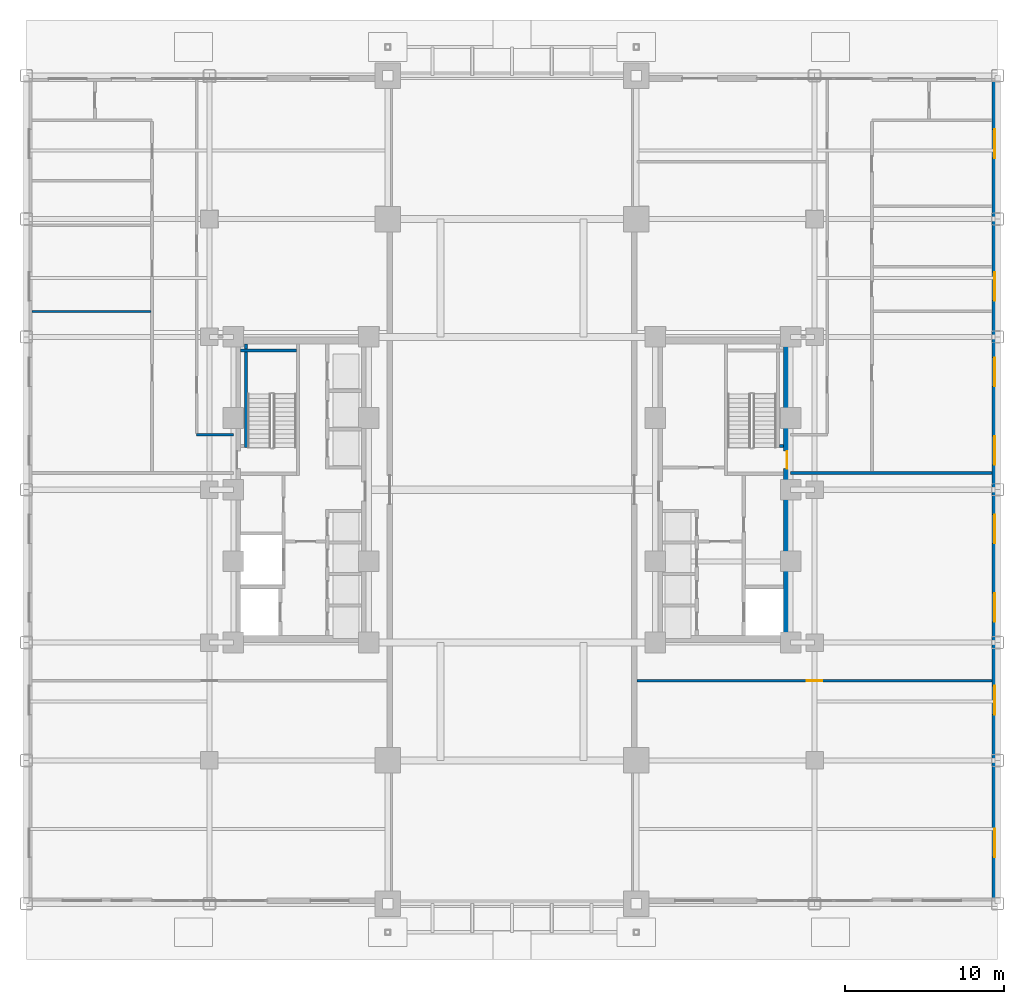
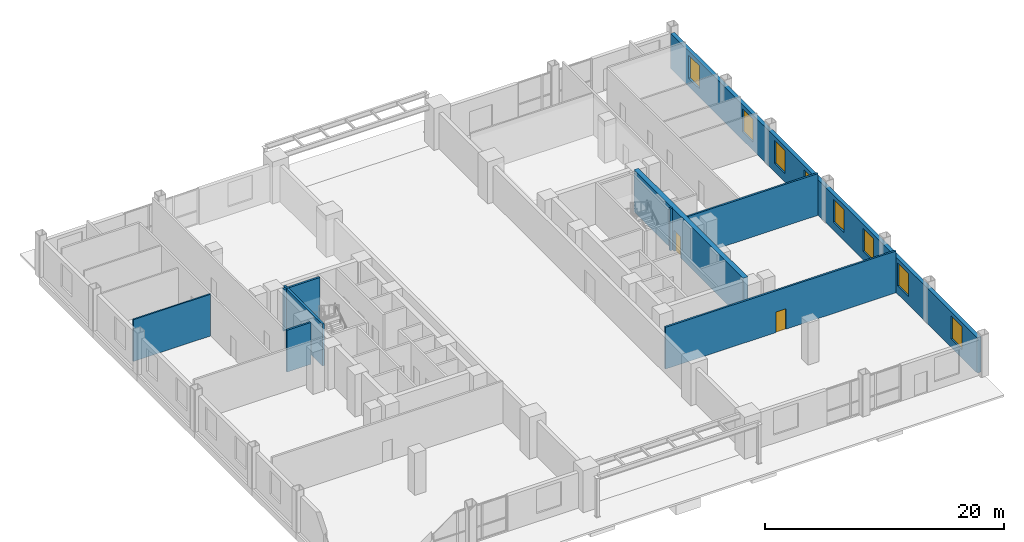
# One storey, part 10 of 20: 9 walls, 8 windows, 2 doors, 10 openings.
"""IFC4 building model written with IfcOpenShell, lengths in metres."""

from ifc_helpers import new_model, si_unit, direction, frame, frame_2d, origin, place, context, subcontext, project, spatial, rectangle, extrude, source, transform, mapped, material, layer, layer_set, type_object, type_shapes, element, fill, save


model = new_model("IFC4")

# Units and contexts
model_context = context("Model", 3, precision=1e-05, world=origin(), true_north=direction((0.0, 1.0)))
body_context = subcontext(model_context, "Body", "Model", "MODEL_VIEW")
ifc_project = project(units=[si_unit("LENGTHUNIT", "METRE"), si_unit("AREAUNIT", "SQUARE_METRE"), si_unit("VOLUMEUNIT", "CUBIC_METRE"), si_unit("PLANEANGLEUNIT", "RADIAN"), si_unit("MASSUNIT", "GRAM", prefix="KILO")], contexts=[model_context])

# Site, building, storey
site_placement = place(None, origin())
site = spatial("IfcSite", under=ifc_project, at=site_placement, CompositionType="ELEMENT")
building_placement = place(site_placement, origin())
building = spatial("IfcBuilding", under=site, at=building_placement, Name="Nuvemarco Arch Tower", CompositionType="ELEMENT")
storey_placement = place(building_placement, origin())
storey = spatial("IfcBuildingStorey", under=building, at=storey_placement, Name="L00", CompositionType="ELEMENT", Elevation=0.0)

# Wall, openings, windows
ifc_material_1 = material(Name="Precast concrete C45/55", Category="concrete")
ifc_layer_1 = layer(ifc_material_1, 0.360107421875, Name="EW-POD-360")
ifc_layer_set_1 = layer_set([ifc_layer_1], Name="Precast concrete C45/55")
wall_type_1 = type_object("IfcWallType", Name="EW-POD-360", PredefinedType="STANDARD", material=ifc_layer_set_1)
wall_1_placement = place(storey_placement, frame((30.320068359375, -25.64404296875, 0.0), z_axis=(0.0, 0.0, 1.0), x_axis=(0.0, 1.0, 0.0)))
wall_1 = element("IfcWall", 1, at=wall_1_placement, inside=storey, type_object=wall_type_1, Name="L00 exterior precast facade wall 2", PredefinedType="STANDARD", context=body_context, shape_type="SweptSolid", body=[
    extrude(rectangle(XDim=51.2880859375, YDim=0.360107421875, at=frame_2d((25.64404296875, 0.0))), origin(), (0.0, 0.0, 1.0), 3.614990234375),
])
opening_1_placement = place(wall_1_placement, frame((2.564453125, 0.0, 0.85009765625)))
opening_1 = element("IfcOpeningElement", 2, at=opening_1_placement, cuts=wall_1, Name="Opening WN-2", PredefinedType="OPENING", context=body_context, shape_type="SweptSolid", body=[
    extrude(rectangle(XDim=1.800048828125, YDim=2.35009765625, at=frame_2d((0.89990234375, 1.175048828125))), frame((0.0, 0.18994140625, 0.0), z_axis=(0.0, -1.0, 0.0), x_axis=(1.0, 0.0, 0.0)), (0.0, 0.0, 1.0), 0.380126953125),
])
opening_2_placement = place(wall_1_placement, frame((11.52197265625, 0.0, 0.85009765625)))
opening_2 = element("IfcOpeningElement", 3, at=opening_2_placement, cuts=wall_1, Name="Opening WN-2", PredefinedType="OPENING", context=body_context, shape_type="SweptSolid", body=[
    extrude(rectangle(XDim=1.800048828125, YDim=2.35009765625, at=frame_2d((0.89990234375, 1.175048828125))), frame((0.0, 0.18994140625, 0.0), z_axis=(0.0, -1.0, 0.0), x_axis=(1.0, 0.0, 0.0)), (0.0, 0.0, 1.0), 0.380126953125),
])
opening_3_placement = place(wall_1_placement, frame((17.350830078125, 0.0, 0.85009765625)))
opening_3 = element("IfcOpeningElement", 4, at=opening_3_placement, cuts=wall_1, Name="Opening WN-2", PredefinedType="OPENING", context=body_context, shape_type="SweptSolid", body=[
    extrude(rectangle(XDim=1.800048828125, YDim=2.35009765625, at=frame_2d((0.89990234375, 1.175048828125))), frame((0.0, 0.18994140625, 0.0), z_axis=(0.0, -1.0, 0.0), x_axis=(1.0, 0.0, 0.0)), (0.0, 0.0, 1.0), 0.380126953125),
])
opening_4_placement = place(wall_1_placement, frame((22.279541015625, 0.0, 0.85009765625)))
opening_4 = element("IfcOpeningElement", 5, at=opening_4_placement, cuts=wall_1, Name="Opening WN-2", PredefinedType="OPENING", context=body_context, shape_type="SweptSolid", body=[
    extrude(rectangle(XDim=1.800048828125, YDim=2.35009765625, at=frame_2d((0.89990234375, 1.175048828125))), frame((0.0, 0.18994140625, 0.0), z_axis=(0.0, -1.0, 0.0), x_axis=(1.0, 0.0, 0.0)), (0.0, 0.0, 1.0), 0.380126953125),
])
opening_5_placement = place(wall_1_placement, frame((27.20849609375, 0.0, 0.85009765625)))
opening_5 = element("IfcOpeningElement", 6, at=opening_5_placement, cuts=wall_1, Name="Opening WN-2", PredefinedType="OPENING", context=body_context, shape_type="SweptSolid", body=[
    extrude(rectangle(XDim=1.800048828125, YDim=2.35009765625, at=frame_2d((0.89990234375, 1.175048828125))), frame((0.0, 0.18994140625, 0.0), z_axis=(0.0, -1.0, 0.0), x_axis=(1.0, 0.0, 0.0)), (0.0, 0.0, 1.0), 0.380126953125),
])
opening_6_placement = place(wall_1_placement, frame((32.13720703125, 0.0, 0.85009765625)))
opening_6 = element("IfcOpeningElement", 7, at=opening_6_placement, cuts=wall_1, Name="Opening WN-2", PredefinedType="OPENING", context=body_context, shape_type="SweptSolid", body=[
    extrude(rectangle(XDim=1.800048828125, YDim=2.35009765625, at=frame_2d((0.89990234375, 1.175048828125))), frame((0.0, 0.18994140625, 0.0), z_axis=(0.0, -1.0, 0.0), x_axis=(1.0, 0.0, 0.0)), (0.0, 0.0, 1.0), 0.380126953125),
])
opening_7_placement = place(wall_1_placement, frame((37.51611328125, 0.0, 0.85009765625)))
opening_7 = element("IfcOpeningElement", 8, at=opening_7_placement, cuts=wall_1, Name="Opening WN-2", PredefinedType="OPENING", context=body_context, shape_type="SweptSolid", body=[
    extrude(rectangle(XDim=1.800048828125, YDim=2.35009765625, at=frame_2d((0.89990234375, 1.175048828125))), frame((0.0, 0.18994140625, 0.0), z_axis=(0.0, -1.0, 0.0), x_axis=(1.0, 0.0, 0.0)), (0.0, 0.0, 1.0), 0.380126953125),
])
opening_8_placement = place(wall_1_placement, frame((46.4736328125, 0.0, 0.85009765625)))
opening_8 = element("IfcOpeningElement", 9, at=opening_8_placement, cuts=wall_1, Name="Opening WN-2", PredefinedType="OPENING", context=body_context, shape_type="SweptSolid", body=[
    extrude(rectangle(XDim=1.800048828125, YDim=2.35009765625, at=frame_2d((0.89990234375, 1.175048828125))), frame((0.0, 0.18994140625, 0.0), z_axis=(0.0, -1.0, 0.0), x_axis=(1.0, 0.0, 0.0)), (0.0, 0.0, 1.0), 0.380126953125),
])
ifc_material_2 = material(Name="Insulated solar-control glass", Category="glass")
window_type = type_object("IfcWindowType", Name="WN-POD-1800x2350", PartitioningType="DOUBLE_PANEL_VERTICAL", PredefinedType="WINDOW", material=ifc_material_2)
shared_shape_1 = source(origin(), body_context, "Body", "SweptSolid", [
    extrude(rectangle(XDim=1.800048828125, YDim=2.35009765625, at=frame_2d((0.89990234375, 1.175048828125))), frame((0.0, 0.030029296875, 0.0), z_axis=(0.0, -1.0, 0.0), x_axis=(1.0, 0.0, 0.0)), (0.0, 0.0, 1.0), 0.06005859375),
])
type_shapes(window_type, [shared_shape_1])
window_1_placement = place(opening_1_placement, origin())
window_1 = element("IfcWindow", 10, at=window_1_placement, inside=storey, type_object=window_type, Name="L00 punched facade window 1", OverallHeight=2.35009765625, OverallWidth=1.800048828125, PartitioningType="SINGLE_PANEL", PredefinedType="WINDOW", context=body_context, shape_type="MappedRepresentation", body=[
    mapped(shared_shape_1, transform((0.0, 0.0, 0.0), scale=1.0)),
])
fill(opening_1, window_1)
window_2_placement = place(opening_2_placement, origin())
window_2 = element("IfcWindow", 11, at=window_2_placement, inside=storey, type_object=window_type, Name="L00 punched facade window 3", OverallHeight=2.35009765625, OverallWidth=1.800048828125, PartitioningType="SINGLE_PANEL", PredefinedType="WINDOW", context=body_context, shape_type="MappedRepresentation", body=[
    mapped(shared_shape_1, transform((0.0, 0.0, 0.0), scale=1.0)),
])
fill(opening_2, window_2)
window_3_placement = place(opening_3_placement, origin())
window_3 = element("IfcWindow", 12, at=window_3_placement, inside=storey, type_object=window_type, Name="L00 punched facade window 4", OverallHeight=2.35009765625, OverallWidth=1.800048828125, PartitioningType="SINGLE_PANEL", PredefinedType="WINDOW", context=body_context, shape_type="MappedRepresentation", body=[
    mapped(shared_shape_1, transform((0.0, 0.0, 0.0), scale=1.0)),
])
fill(opening_3, window_3)
window_4_placement = place(opening_4_placement, origin())
window_4 = element("IfcWindow", 13, at=window_4_placement, inside=storey, type_object=window_type, Name="L00 punched facade window 5", OverallHeight=2.35009765625, OverallWidth=1.800048828125, PartitioningType="SINGLE_PANEL", PredefinedType="WINDOW", context=body_context, shape_type="MappedRepresentation", body=[
    mapped(shared_shape_1, transform((0.0, 0.0, 0.0), scale=1.0)),
])
fill(opening_4, window_4)
window_5_placement = place(opening_5_placement, origin())
window_5 = element("IfcWindow", 14, at=window_5_placement, inside=storey, type_object=window_type, Name="L00 punched facade window 6", OverallHeight=2.35009765625, OverallWidth=1.800048828125, PartitioningType="SINGLE_PANEL", PredefinedType="WINDOW", context=body_context, shape_type="MappedRepresentation", body=[
    mapped(shared_shape_1, transform((0.0, 0.0, 0.0), scale=1.0)),
])
fill(opening_5, window_5)
window_6_placement = place(opening_6_placement, origin())
window_6 = element("IfcWindow", 15, at=window_6_placement, inside=storey, type_object=window_type, Name="L00 punched facade window 7", OverallHeight=2.35009765625, OverallWidth=1.800048828125, PartitioningType="SINGLE_PANEL", PredefinedType="WINDOW", context=body_context, shape_type="MappedRepresentation", body=[
    mapped(shared_shape_1, transform((0.0, 0.0, 0.0), scale=1.0)),
])
fill(opening_6, window_6)
window_7_placement = place(opening_7_placement, origin())
window_7 = element("IfcWindow", 16, at=window_7_placement, inside=storey, type_object=window_type, Name="L00 punched facade window 8", OverallHeight=2.35009765625, OverallWidth=1.800048828125, PartitioningType="SINGLE_PANEL", PredefinedType="WINDOW", context=body_context, shape_type="MappedRepresentation", body=[
    mapped(shared_shape_1, transform((0.0, 0.0, 0.0), scale=1.0)),
])
fill(opening_7, window_7)
window_8_placement = place(opening_8_placement, origin())
window_8 = element("IfcWindow", 17, at=window_8_placement, inside=storey, type_object=window_type, Name="L00 punched facade window 10", OverallHeight=2.35009765625, OverallWidth=1.800048828125, PartitioningType="SINGLE_PANEL", PredefinedType="WINDOW", context=body_context, shape_type="MappedRepresentation", body=[
    mapped(shared_shape_1, transform((0.0, 0.0, 0.0), scale=1.0)),
])
fill(opening_8, window_8)

# Wall, opening, door
ifc_material_3 = material(Name="Concrete C60/75", Category="concrete")
ifc_layer_2 = layer(ifc_material_3, 0.449951171875, Name="WL-CORE-450")
ifc_layer_set_2 = layer_set([ifc_layer_2], Name="Concrete C60/75")
wall_type_2 = type_object("IfcWallType", Name="WL-CORE-450", PredefinedType="SHEAR", material=ifc_layer_set_2)
wall_2_placement = place(storey_placement, frame((17.27490234375, -9.155029296875, 0.0), z_axis=(0.0, 0.0, 1.0), x_axis=(0.0, 1.0, 0.0)))
wall_2 = element("IfcWall", 18, at=wall_2_placement, inside=storey, type_object=wall_type_2, Name="L00 E-core shear wall E", PredefinedType="SHEAR", context=body_context, shape_type="SweptSolid", body=[
    extrude(rectangle(XDim=18.31005859375, YDim=0.449951171875, at=frame_2d((9.155029296875, 0.0))), origin(), (0.0, 0.0, 1.0), 4.280029296875),
])
opening_9_placement = place(wall_2_placement, frame((11.585205078125, 0.0, 0.0), z_axis=(0.0, 0.0, 1.0), x_axis=(-1.0, 0.0, 0.0)))
opening_9 = element("IfcOpeningElement", 19, at=opening_9_placement, cuts=wall_2, Name="Opening FD-1", PredefinedType="OPENING", context=body_context, shape_type="SweptSolid", body=[
    extrude(rectangle(XDim=1.10009765625, YDim=2.14990234375, at=frame_2d((0.550048828125, 1.074951171875))), frame((0.0, 0.23486328125, 0.0), z_axis=(0.0, -1.0, 0.0), x_axis=(1.0, 0.0, 0.0)), (0.0, 0.0, 1.0), 0.469970703125),
])
ifc_material_4 = material(Name="Anodised steel fire door", Category="steel")
door_type_1 = type_object("IfcDoorType", Name="DR-STAIR-FD", OperationType="NOTDEFINED", PredefinedType="DOOR", material=ifc_material_4)
shared_shape_2 = source(origin(), body_context, "Body", "SweptSolid", [
    extrude(rectangle(XDim=1.10009765625, YDim=2.14990234375, at=frame_2d((0.550048828125, 1.074951171875))), frame((0.0, 0.02490234375, 0.0), z_axis=(0.0, -1.0, 0.0), x_axis=(1.0, 0.0, 0.0)), (0.0, 0.0, 1.0), 0.050048828125),
])
type_shapes(door_type_1, [shared_shape_2])
door_1_placement = place(opening_9_placement, origin())
door_1 = element("IfcDoor", 20, at=door_1_placement, inside=storey, type_object=door_type_1, Name="L00 door FD-L00-ST2", OperationType="SINGLE_SWING_LEFT", OverallHeight=2.14990234375, OverallWidth=1.10009765625, PredefinedType="DOOR", context=body_context, shape_type="MappedRepresentation", body=[
    mapped(shared_shape_2, transform((0.0, 0.0, 0.0), scale=1.0)),
])
fill(opening_9, door_1)

ifc_material_5 = material(Name="Fire-rated gypsum drywall partition")
ifc_layer_3 = layer(ifc_material_5, 0.179931640625, Name="WL-CORR-180")
ifc_layer_set_3 = layer_set([ifc_layer_3], Name="Fire-rated gypsum drywall partition")
wall_type_3 = type_object("IfcWallType", Name="WL-CORR-180", PredefinedType="PARTITIONING", material=ifc_layer_set_3)
wall_3_placement = place(storey_placement, frame((7.860107421875, -12.0, 0.0), z_axis=(0.0, 0.0, 1.0), x_axis=(1.0, 0.0, 0.0)))
wall_3 = element("IfcWall", 21, at=wall_3_placement, inside=storey, type_object=wall_type_3, Name="L00 interior wall IW-L00-002", PredefinedType="PARTITIONING", context=body_context, shape_type="SweptSolid", body=[
    extrude(rectangle(XDim=22.27978515625, YDim=0.179931640625, at=frame_2d((11.139892578125, 0.0))), origin(), (0.0, 0.0, 1.0), 4.27001953125),
])
opening_10_placement = place(wall_3_placement, frame((10.659912109375, 0.0, 0.0)))
opening_10 = element("IfcOpeningElement", 22, at=opening_10_placement, cuts=wall_3, Name="Opening FD-5", PredefinedType="OPENING", context=body_context, shape_type="SweptSolid", body=[
    extrude(rectangle(XDim=0.9599609375, YDim=2.10009765625, at=frame_2d((0.47998046875, 1.050048828125))), frame((0.0, 0.099853515625, 0.0), z_axis=(0.0, -1.0, 0.0), x_axis=(1.0, 0.0, 0.0)), (0.0, 0.0, 1.0), 0.199951171875),
])
ifc_material_6 = material(Name="Timber fire door", Category="wood")
door_type_2 = type_object("IfcDoorType", Name="DR-CORR-FD", OperationType="NOTDEFINED", PredefinedType="DOOR", material=ifc_material_6)
shared_shape_3 = source(origin(), body_context, "Body", "SweptSolid", [
    extrude(rectangle(XDim=0.9599609375, YDim=2.10009765625, at=frame_2d((0.47998046875, 1.050048828125))), frame((0.0, 0.02490234375, 0.0), z_axis=(0.0, -1.0, 0.0), x_axis=(1.0, 0.0, 0.0)), (0.0, 0.0, 1.0), 0.050048828125),
])
type_shapes(door_type_2, [shared_shape_3])
door_2_placement = place(opening_10_placement, origin())
door_2 = element("IfcDoor", 23, at=door_2_placement, inside=storey, type_object=door_type_2, Name="L00 door DR-L00-L00_ERET", OperationType="SINGLE_SWING_LEFT", OverallHeight=2.10009765625, OverallWidth=0.9599609375, PredefinedType="DOOR", context=body_context, shape_type="MappedRepresentation", body=[
    mapped(shared_shape_3, transform((0.0, 0.0, 0.0), scale=1.0)),
])
fill(opening_10, door_2)

# Walls
wall_4_placement = place(storey_placement, frame((17.5, 1.050048828125, 0.0), z_axis=(0.0, 0.0, 1.0), x_axis=(1.0, 0.0, 0.0)))
element("IfcWall", 24, at=wall_4_placement, inside=storey, type_object=wall_type_3, Name="L00 interior wall IW-L00-004", PredefinedType="PARTITIONING", context=body_context, shape_type="SweptSolid", body=[
    extrude(rectangle(XDim=12.639892578125, YDim=0.179931640625, at=frame_2d((6.31982421875, 0.0))), origin(), (0.0, 0.0, 1.0), 4.27001953125),
])
wall_5_placement = place(storey_placement, frame((-19.800048828125, 3.449951171875, 0.0), z_axis=(0.0, 0.0, 1.0), x_axis=(1.0, 0.0, 0.0)))
element("IfcWall", 25, at=wall_5_placement, inside=storey, type_object=wall_type_3, Name="L00 interior wall IW-L00-005", PredefinedType="PARTITIONING", context=body_context, shape_type="SweptSolid", body=[
    extrude(rectangle(XDim=2.300048828125, YDim=0.179931640625, at=frame_2d((1.14990234375, 0.0))), origin(), (0.0, 0.0, 1.0), 4.27001953125),
])
ifc_material_7 = material(Name="Gypsum plasterboard partition")
ifc_layer_4 = layer(ifc_material_7, 0.139892578125, Name="WL-ROOM-140")
ifc_layer_set_4 = layer_set([ifc_layer_4], Name="Gypsum plasterboard partition")
wall_type_4 = type_object("IfcWallType", Name="WL-ROOM-140", PredefinedType="PARTITIONING", material=ifc_layer_set_4)
wall_6_placement = place(storey_placement, frame((-30.139892578125, 11.199951171875, 0.0), z_axis=(0.0, 0.0, 1.0), x_axis=(1.0, 0.0, 0.0)))
element("IfcWall", 26, at=wall_6_placement, inside=storey, type_object=wall_type_4, Name="L00 interior wall IW-L00-009", PredefinedType="PARTITIONING", context=body_context, shape_type="SweptSolid", body=[
    extrude(rectangle(XDim=7.453857421875, YDim=0.139892578125, at=frame_2d((3.72705078125, 0.0))), origin(), (0.0, 0.0, 1.0), 4.27001953125),
])
ifc_material_8 = material(Name="Concrete C50/60", Category="concrete")
ifc_layer_5 = layer(ifc_material_8, 0.199951171875, Name="WL-SHAFT-220")
ifc_layer_set_5 = layer_set([ifc_layer_5], Name="Concrete C50/60")
wall_type_5 = type_object("IfcWallType", Name="WL-SHAFT-220", PredefinedType="SHEAR", material=ifc_layer_set_5)
wall_7_placement = place(storey_placement, frame((-17.054931640625, 8.75, 0.0), z_axis=(0.0, 0.0, 1.0), x_axis=(1.0, 0.0, 0.0)))
element("IfcWall", 27, at=wall_7_placement, inside=storey, type_object=wall_type_5, Name="L00 structural shaft wall SW-L00-W-ST1N", PredefinedType="SHEAR", context=body_context, shape_type="SweptSolid", body=[
    extrude(rectangle(XDim=3.52001953125, YDim=0.199951171875, at=frame_2d((1.760009765625, 0.0))), origin(), (0.0, 0.0, 1.0), 4.280029296875),
])
wall_8_placement = place(storey_placement, frame((-16.699951171875, 2.64990234375, 0.0), z_axis=(0.0, 0.0, 1.0), x_axis=(0.0, 1.0, 0.0)))
element("IfcWall", 28, at=wall_8_placement, inside=storey, type_object=wall_type_5, Name="L00 structural shaft wall SW-L00-W-ST1W", PredefinedType="SHEAR", context=body_context, shape_type="SweptSolid", body=[
    extrude(rectangle(XDim=6.505126953125, YDim=0.199951171875, at=frame_2d((3.25244140625, 0.0))), origin(), (0.0, 0.0, 1.0), 4.280029296875),
])
wall_9_placement = place(storey_placement, frame((16.794921875, 2.75, 0.0), z_axis=(0.0, 0.0, 1.0), x_axis=(1.0, 0.0, 0.0)))
element("IfcWall", 29, at=wall_9_placement, inside=storey, type_object=wall_type_5, Name="L00 structural shaft wall SW-L00-E-ST2C", PredefinedType="SHEAR", context=body_context, shape_type="SweptSolid", body=[
    extrude(rectangle(XDim=0.260009765625, YDim=0.199951171875, at=frame_2d((0.1298828125, 0.0))), origin(), (0.0, 0.0, 1.0), 4.280029296875),
])

save(model, "model.ifc")
